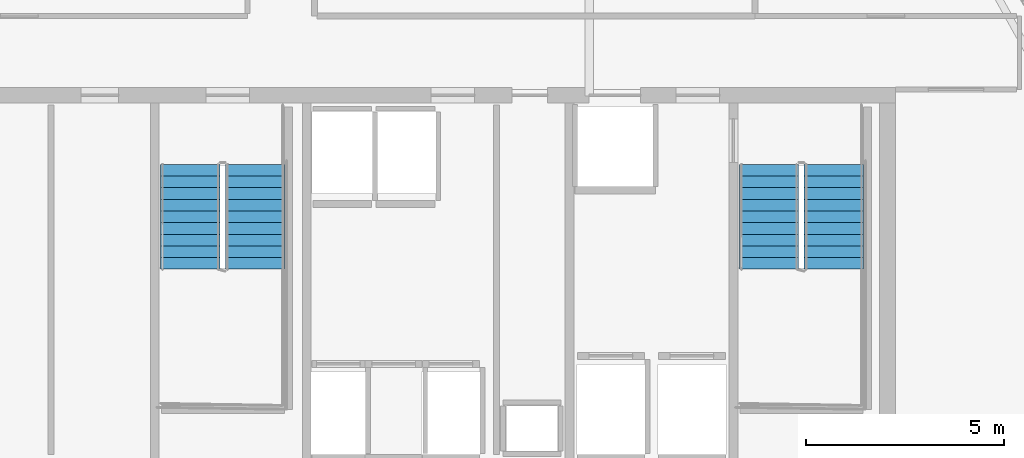
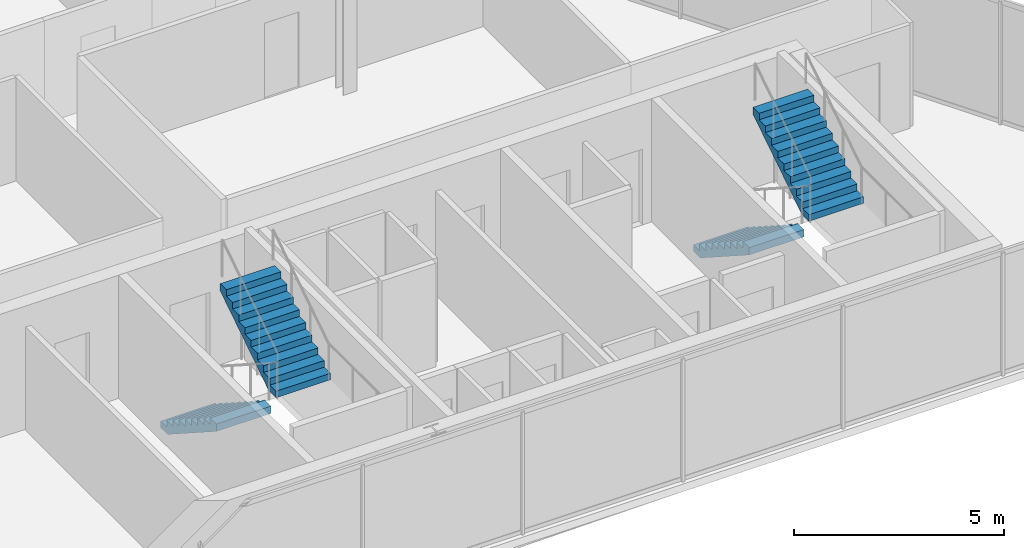
# One storey, part 29 of 32: 4 stair flights, 2 elements without a shape of their own.
"""IFC4 building model written with IfcOpenShell, lengths in metres."""

from ifc_helpers import new_model, si_unit, direction, frame, origin, place, context, subcontext, project, spatial, polyline, outline, extrude, material, type_object, element, aggregate, save


model = new_model("IFC4")

# Units and contexts
model_context = context("Model", 3, precision=1e-05, world=origin(), true_north=direction((0.0, 1.0)))
body_context = subcontext(model_context, "Body", "Model", "MODEL_VIEW")
ifc_project = project(units=[si_unit("LENGTHUNIT", "METRE"), si_unit("AREAUNIT", "SQUARE_METRE"), si_unit("VOLUMEUNIT", "CUBIC_METRE"), si_unit("PLANEANGLEUNIT", "RADIAN"), si_unit("MASSUNIT", "GRAM", prefix="KILO")], contexts=[model_context])

# Site, building, storey
site_placement = place(None, origin())
site = spatial("IfcSite", under=ifc_project, at=site_placement, CompositionType="ELEMENT")
building_placement = place(site_placement, origin())
building = spatial("IfcBuilding", under=site, at=building_placement, Name="Ndaravel Arena Tower", CompositionType="ELEMENT")
storey_placement = place(building_placement, frame((0.0, 0.0, 252.199951171875)))
storey = spatial("IfcBuildingStorey", under=building, at=storey_placement, Name="L61", CompositionType="ELEMENT", Elevation=252.199951171875)

# Stair, stair flights
ifc_material_1 = material(Name="Concrete C40/50", Category="concrete")
stair_type = type_object("IfcStairType", Name="STAIR-CORE-HT", PredefinedType="HALF_TURN_STAIR", material=ifc_material_1)
stair_1_placement = place(storey_placement, origin())
stair_1 = element("IfcStair", 1, at=stair_1_placement, inside=storey, type_object=stair_type, Name="L61 ST-2", PredefinedType="HALF_TURN_STAIR")
ifc_material_2 = material(Name="Concrete C40/50", Category="concrete")
stair_flight_type = type_object("IfcStairFlightType", Name="SFLIGHT-CORE-1680", PredefinedType="STRAIGHT", material=ifc_material_2)
stair_flight_1_placement = place(storey_placement, frame((39.699951171875, 13.25, 0.0), z_axis=(0.0, 0.0, 1.0), x_axis=(0.0, -1.0, 0.0)))
stair_flight_1 = element("IfcStairFlight", 2, at=stair_flight_1_placement, type_object=stair_flight_type, Name="ST-2 flight 1", NumberOfRisers=10, NumberOfTreads=9, PredefinedType="STRAIGHT", RiserHeight=0.19, TreadLength=0.295, context=body_context, shape_type="SweptSolid", body=[
    extrude(outline(polyline([(0.0, 0.0), (0.0, 0.18994140625), (0.294921875, 0.18994140625), (0.294921875, 0.3798828125), (0.590087890625, 0.3798828125), (0.590087890625, 0.570068359375), (0.885009765625, 0.570068359375), (0.885009765625, 0.760009765625), (1.179931640625, 0.760009765625), (1.179931640625, 0.949951171875), (1.47509765625, 0.949951171875), (1.47509765625, 1.139892578125), (1.77001953125, 1.139892578125), (1.77001953125, 1.330078125), (2.06494140625, 1.330078125), (2.06494140625, 1.52001953125), (2.360107421875, 1.52001953125), (2.360107421875, 1.7099609375), (2.655029296875, 1.7099609375), (2.655029296875, 1.89990234375), (2.655029296875, 1.49609375), (0.332275390625, 0.0), (0.0, 0.0)])), frame((0.0, 0.75, 0.0), z_axis=(0.0, -1.0, 0.0), x_axis=(1.0, 0.0, 0.0)), (0.0, 0.0, 1.0), 1.5),
])
stair_flight_2_placement = place(storey_placement, frame((41.340087890625, 10.594970703125, 1.900146484375), z_axis=(0.0, 0.0, 1.0), x_axis=(0.0, 1.0, 0.0)))
stair_flight_2 = element("IfcStairFlight", 3, at=stair_flight_2_placement, type_object=stair_flight_type, Name="ST-2 flight 2", NumberOfRisers=10, NumberOfTreads=9, PredefinedType="STRAIGHT", RiserHeight=0.19, TreadLength=0.295, context=body_context, shape_type="SweptSolid", body=[
    extrude(outline(polyline([(0.0, 0.0), (0.0, 0.18994140625), (0.294921875, 0.18994140625), (0.294921875, 0.3798828125), (0.590087890625, 0.3798828125), (0.590087890625, 0.570068359375), (0.885009765625, 0.570068359375), (0.885009765625, 0.760009765625), (1.179931640625, 0.760009765625), (1.179931640625, 0.949951171875), (1.47509765625, 0.949951171875), (1.47509765625, 1.139892578125), (1.77001953125, 1.139892578125), (1.77001953125, 1.330078125), (2.06494140625, 1.330078125), (2.06494140625, 1.52001953125), (2.360107421875, 1.52001953125), (2.360107421875, 1.7099609375), (2.655029296875, 1.7099609375), (2.655029296875, 1.89990234375), (2.655029296875, 1.49609375), (0.332275390625, 0.0), (0.0, 0.0)])), frame((0.0, 0.75, 0.0), z_axis=(0.0, -1.0, 0.0), x_axis=(1.0, 0.0, 0.0)), (0.0, 0.0, 1.0), 1.5),
])
aggregate(stair_1, [stair_flight_1, stair_flight_2])

stair_2_placement = place(storey_placement, origin())
stair_2 = element("IfcStair", 4, at=stair_2_placement, inside=storey, type_object=stair_type, Name="L61 ST-3", PredefinedType="HALF_TURN_STAIR")
stair_flight_3_placement = place(storey_placement, frame((54.35009765625, 13.25, 0.0), z_axis=(0.0, 0.0, 1.0), x_axis=(0.0, -1.0, 0.0)))
stair_flight_3 = element("IfcStairFlight", 5, at=stair_flight_3_placement, type_object=stair_flight_type, Name="ST-3 flight 1", NumberOfRisers=10, NumberOfTreads=9, PredefinedType="STRAIGHT", RiserHeight=0.19, TreadLength=0.295, context=body_context, shape_type="SweptSolid", body=[
    extrude(outline(polyline([(0.0, 0.0), (0.0, 0.18994140625), (0.294921875, 0.18994140625), (0.294921875, 0.3798828125), (0.590087890625, 0.3798828125), (0.590087890625, 0.570068359375), (0.885009765625, 0.570068359375), (0.885009765625, 0.760009765625), (1.179931640625, 0.760009765625), (1.179931640625, 0.949951171875), (1.47509765625, 0.949951171875), (1.47509765625, 1.139892578125), (1.77001953125, 1.139892578125), (1.77001953125, 1.330078125), (2.06494140625, 1.330078125), (2.06494140625, 1.52001953125), (2.360107421875, 1.52001953125), (2.360107421875, 1.7099609375), (2.655029296875, 1.7099609375), (2.655029296875, 1.89990234375), (2.655029296875, 1.49609375), (0.332275390625, 0.0), (0.0, 0.0)])), frame((0.0, 0.75, 0.0), z_axis=(0.0, -1.0, 0.0), x_axis=(1.0, 0.0, 0.0)), (0.0, 0.0, 1.0), 1.5),
])
stair_flight_4_placement = place(storey_placement, frame((55.989990234375, 10.594970703125, 1.900146484375), z_axis=(0.0, 0.0, 1.0), x_axis=(0.0, 1.0, 0.0)))
stair_flight_4 = element("IfcStairFlight", 6, at=stair_flight_4_placement, type_object=stair_flight_type, Name="ST-3 flight 2", NumberOfRisers=10, NumberOfTreads=9, PredefinedType="STRAIGHT", RiserHeight=0.19, TreadLength=0.295, context=body_context, shape_type="SweptSolid", body=[
    extrude(outline(polyline([(0.0, 0.0), (0.0, 0.18994140625), (0.294921875, 0.18994140625), (0.294921875, 0.3798828125), (0.590087890625, 0.3798828125), (0.590087890625, 0.570068359375), (0.885009765625, 0.570068359375), (0.885009765625, 0.760009765625), (1.179931640625, 0.760009765625), (1.179931640625, 0.949951171875), (1.47509765625, 0.949951171875), (1.47509765625, 1.139892578125), (1.77001953125, 1.139892578125), (1.77001953125, 1.330078125), (2.06494140625, 1.330078125), (2.06494140625, 1.52001953125), (2.360107421875, 1.52001953125), (2.360107421875, 1.7099609375), (2.655029296875, 1.7099609375), (2.655029296875, 1.89990234375), (2.655029296875, 1.49609375), (0.332275390625, 0.0), (0.0, 0.0)])), frame((0.0, 0.75, 0.0), z_axis=(0.0, -1.0, 0.0), x_axis=(1.0, 0.0, 0.0)), (0.0, 0.0, 1.0), 1.5),
])
aggregate(stair_2, [stair_flight_3, stair_flight_4])

save(model, "model.ifc")
